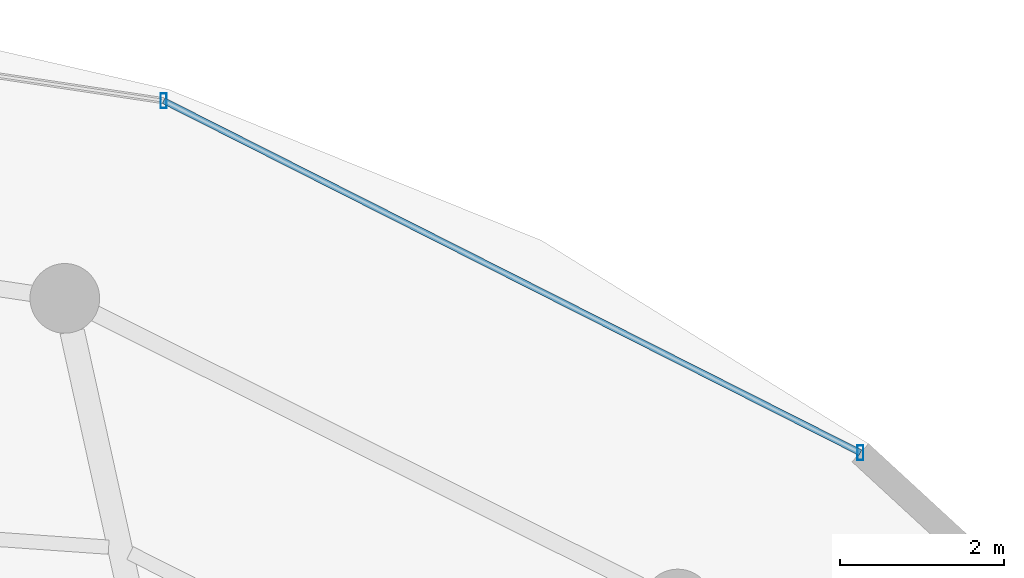
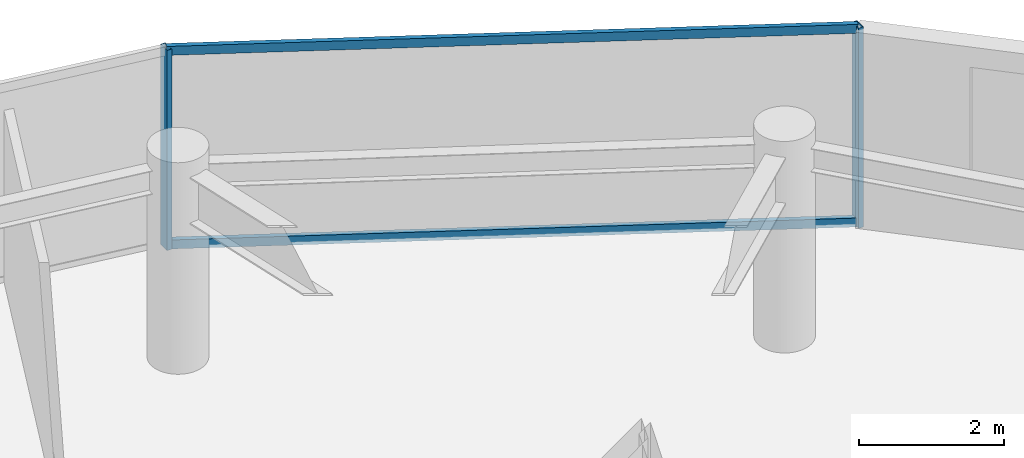
# One storey, part 20 of 30: 4 members, 1 element without a shape of its own.
"""IFC4 building model written with IfcOpenShell, lengths in metres."""

from ifc_helpers import new_model, si_unit, direction, frame, origin, origin_2d, place, context, subcontext, project, spatial, hollow_rectangle, extrude, material, material_profile, profile_set, type_object, element, aggregate, save


model = new_model("IFC4")

# Units and contexts
model_context = context("Model", 3, precision=1e-05, world=origin(), true_north=direction((0.0, 1.0)))
body_context = subcontext(model_context, "Body", "Model", "MODEL_VIEW")
ifc_project = project(units=[si_unit("LENGTHUNIT", "METRE"), si_unit("AREAUNIT", "SQUARE_METRE"), si_unit("VOLUMEUNIT", "CUBIC_METRE"), si_unit("PLANEANGLEUNIT", "RADIAN"), si_unit("MASSUNIT", "GRAM", prefix="KILO")], contexts=[model_context])

# Site, building, storey
site_placement = place(None, origin())
site = spatial("IfcSite", under=ifc_project, at=site_placement, CompositionType="ELEMENT")
building_placement = place(site_placement, origin())
building = spatial("IfcBuilding", under=site, at=building_placement, Name="Vorneva Point Tower", CompositionType="ELEMENT")
storey_placement = place(building_placement, frame((0.0, 0.0, 237.800048828125)))
storey = spatial("IfcBuildingStorey", under=building, at=storey_placement, Name="L64", CompositionType="ELEMENT", Elevation=237.800048828125)

# Curtain wall, members
ifc_material = material(Name="Pale anodised aluminium", Category="aluminium")
curtain_wall_type = type_object("IfcCurtainWallType", Name="CW-RES-SYS", PredefinedType="NOTDEFINED", material=ifc_material)
curtain_wall_placement = place(storey_placement, origin())
curtain_wall = element("IfcCurtainWall", 1, at=curtain_wall_placement, inside=storey, type_object=curtain_wall_type, Name="L64 Unitised Curtain Wall CW-L64-R02", PredefinedType="NOTDEFINED")
ifc_material_profile_1 = material_profile(ifc_material, hollow_rectangle(XDim=0.074951171875, YDim=0.179931640625, WallThickness=0.00390625, at=origin_2d()), Name="AL-MUL 180x75x4")
ifc_profile_set_1 = profile_set([ifc_material_profile_1], Name="Pale anodised aluminium")
member_type_1 = type_object("IfcMemberType", Name="CW-MUL-180", PredefinedType="MULLION", material=ifc_profile_set_1)
member_1_placement = place(storey_placement, frame((56.526123046875, 40.0078125, -0.0400390625), z_axis=(0.0, 0.0, 1.0), x_axis=(1.0, 0.0, 0.0)))
member_1 = element("IfcMember", 2, at=member_1_placement, type_object=member_type_1, Name="CW-L64-R02 Mullion 01", PredefinedType="MULLION", context=body_context, shape_type="SweptSolid", body=[
    extrude(hollow_rectangle(XDim=0.074951171875, YDim=0.179931640625, WallThickness=0.00390625, at=origin_2d()), origin(), (0.0, 0.0, 1.0), 3.360107421875),
])
member_2_placement = place(storey_placement, frame((48.0263671875, 44.302001953125, -0.0400390625), z_axis=(0.0, 0.0, 1.0), x_axis=(1.0, 0.0, 0.0)))
member_2 = element("IfcMember", 3, at=member_2_placement, type_object=member_type_1, Name="CW-L64-R02 Mullion 02", PredefinedType="MULLION", context=body_context, shape_type="SweptSolid", body=[
    extrude(hollow_rectangle(XDim=0.074951171875, YDim=0.179931640625, WallThickness=0.00390625, at=origin_2d()), origin(), (0.0, 0.0, 1.0), 3.360107421875),
])
ifc_material_profile_2 = material_profile(ifc_material, hollow_rectangle(XDim=0.074951171875, YDim=0.14990234375, WallThickness=0.00390625, at=origin_2d()), Name="AL-TRN 150x75x4")
ifc_profile_set_2 = profile_set([ifc_material_profile_2], Name="Pale anodised aluminium")
member_type_2 = type_object("IfcMemberType", Name="CW-TRN-150", PredefinedType="USERDEFINED", material=ifc_profile_set_2)
member_3_placement = place(storey_placement, frame((56.526123046875, 40.0078125, 0.02001953125), z_axis=(-0.892558185815, 0.450932239848, 0.0), x_axis=(-0.450932239848, -0.892558185815, 0.0)))
member_3 = element("IfcMember", 4, at=member_3_placement, type_object=member_type_2, Name="CW-L64-R02 Transom 01.1", ObjectType="TRANSOM", PredefinedType="USERDEFINED", context=body_context, shape_type="SweptSolid", body=[
    extrude(hollow_rectangle(XDim=0.074951171875, YDim=0.14990234375, WallThickness=0.00390625, at=origin_2d()), origin(), (0.0, 0.0, 1.0), 9.52294921875),
])
member_4_placement = place(storey_placement, frame((56.526123046875, 40.0078125, 3.27001953125), z_axis=(-0.892558185815, 0.450932239848, 0.0), x_axis=(-0.450932239848, -0.892558185815, 0.0)))
member_4 = element("IfcMember", 5, at=member_4_placement, type_object=member_type_2, Name="CW-L64-R02 Transom 01.2", ObjectType="TRANSOM", PredefinedType="USERDEFINED", context=body_context, shape_type="SweptSolid", body=[
    extrude(hollow_rectangle(XDim=0.074951171875, YDim=0.14990234375, WallThickness=0.00390625, at=origin_2d()), origin(), (0.0, 0.0, 1.0), 9.52294921875),
])
aggregate(curtain_wall, [member_1, member_2, member_3, member_4])

save(model, "model.ifc")
